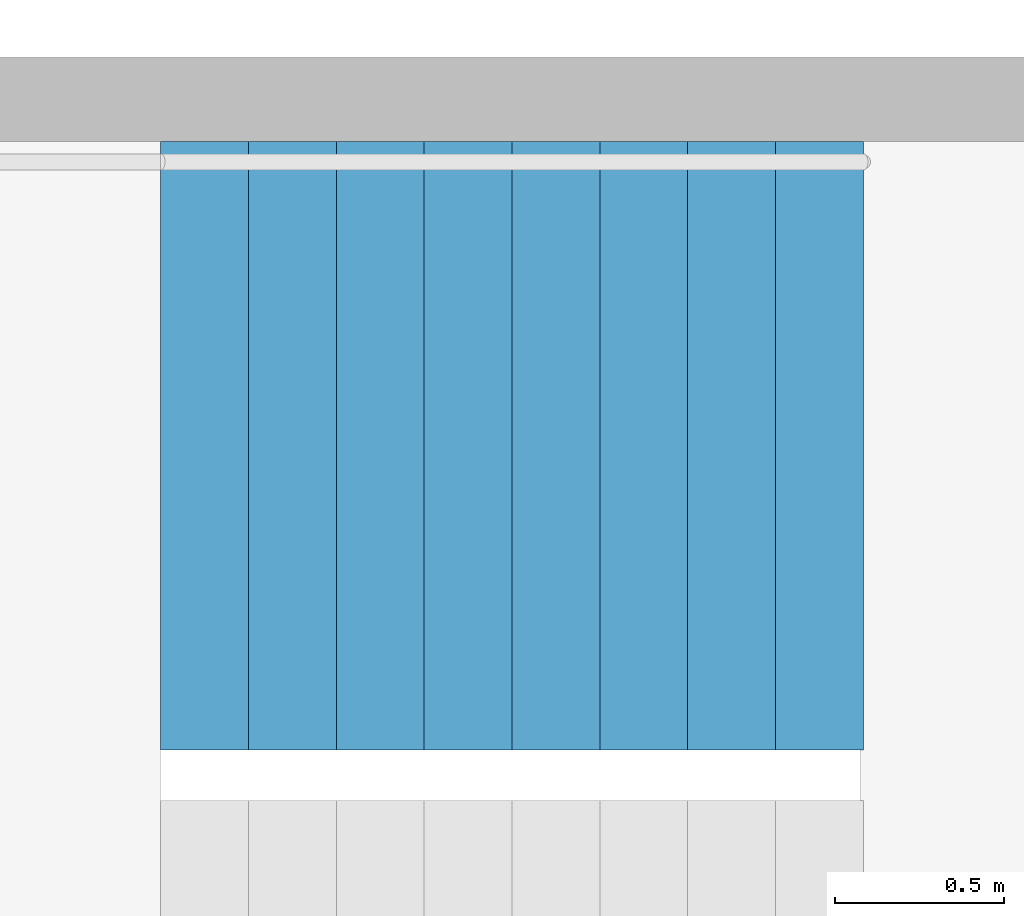
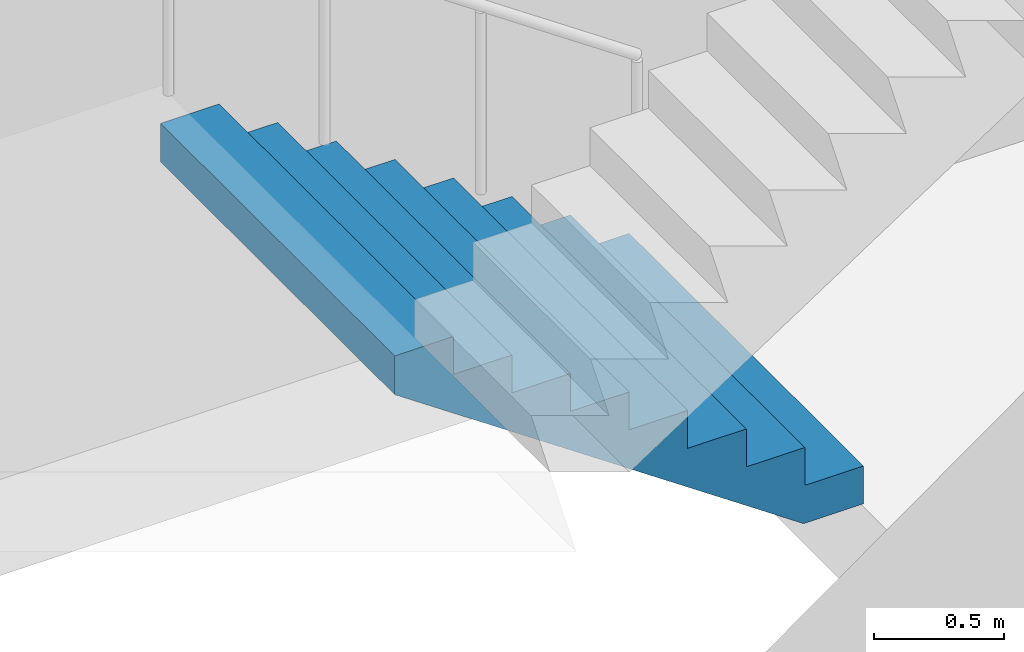
# One storey, part 20 of 27: 1 stair flight, 1 element without a shape of its own.
"""IFC4 building model written with IfcOpenShell, lengths in metres."""

from ifc_helpers import new_model, si_unit, direction, frame, origin, place, context, subcontext, project, spatial, triangles, material, type_object, element, aggregate, save


model = new_model("IFC4")

# Units and contexts
model_context = context("Model", 3, precision=1e-05, world=origin(), true_north=direction((0.0, 1.0)))
body_context = subcontext(model_context, "Body", "Model", "MODEL_VIEW")
ifc_project = project(units=[si_unit("LENGTHUNIT", "METRE"), si_unit("AREAUNIT", "SQUARE_METRE"), si_unit("VOLUMEUNIT", "CUBIC_METRE"), si_unit("PLANEANGLEUNIT", "RADIAN"), si_unit("MASSUNIT", "GRAM", prefix="KILO")], contexts=[model_context])

# Site, building, storey
site_placement = place(None, origin())
site = spatial("IfcSite", under=ifc_project, at=site_placement, CompositionType="ELEMENT")
building_placement = place(site_placement, origin())
building = spatial("IfcBuilding", under=site, at=building_placement, Name="Hakoniwa Tower and Hamabe Station Hall", CompositionType="ELEMENT")
storey_placement = place(building_placement, frame((0.0, 0.0, 248.60009765625)))
storey = spatial("IfcBuildingStorey", under=building, at=storey_placement, Name="L70", CompositionType="ELEMENT", Elevation=248.60009765625)

# Stair, stair flight
ifc_material_1 = material(Name="Concrete C40", Category="concrete")
stair_type = type_object("IfcStairType", Name="ESCAPE STAIR 1800", PredefinedType="HALF_TURN_STAIR", material=ifc_material_1)
stair_placement = place(storey_placement, origin())
stair = element("IfcStair", 1, at=stair_placement, inside=storey, type_object=stair_type, Name="Escape stair ST-2 L70", PredefinedType="HALF_TURN_STAIR")
ifc_material_2 = material(Name="Concrete C40", Category="concrete")
stair_flight_type = type_object("IfcStairFlightType", Name="STAIR FLIGHT 1800", PredefinedType="STRAIGHT", material=ifc_material_2)
stair_flight_placement = place(storey_placement, frame((-23.39990234375, -4.64990234375, 0.0), z_axis=(0.0, 0.0, 1.0), x_axis=(-1.0, 0.0, 0.0)))
stair_flight = element("IfcStairFlight", 2, at=stair_flight_placement, type_object=stair_flight_type, Name="ST-2 flight 1", NumberOfRisers=9, NumberOfTreads=8, PredefinedType="STRAIGHT", RiserHeight=0.177777778, TreadLength=0.26, context=body_context, shape_type="Tessellation", body=[
    triangles([(0.0, 0.89990234375, 0.0), (0.260009765625, 0.89990234375, 0.0), (0.265625, 0.89990234375, 0.0), (0.52001953125, 0.89990234375, 0.174072265625), (0.780029296875, 0.89990234375, 0.351806640625), (1.0400390625, 0.89990234375, 0.529541015625), (1.300048828125, 0.89990234375, 0.707275390625), (1.56005859375, 0.89990234375, 0.885009765625), (1.820068359375, 0.89990234375, 1.062744140625), (2.080078125, 0.89990234375, 1.24072265625), (2.080078125, 0.89990234375, 1.422119140625), (1.820068359375, 0.89990234375, 1.422119140625), (1.820068359375, 0.89990234375, 1.244384765625), (1.56005859375, 0.89990234375, 1.244384765625), (1.56005859375, 0.89990234375, 1.066650390625), (1.300048828125, 0.89990234375, 1.066650390625), (1.300048828125, 0.89990234375, 0.888916015625), (1.0400390625, 0.89990234375, 0.888916015625), (1.0400390625, 0.89990234375, 0.711181640625), (0.780029296875, 0.89990234375, 0.711181640625), (0.780029296875, 0.89990234375, 0.533447265625), (0.52001953125, 0.89990234375, 0.533447265625), (0.52001953125, 0.89990234375, 0.35546875), (0.265625, 0.89990234375, 0.35546875), (0.260009765625, 0.89990234375, 0.35546875), (0.260009765625, 0.89990234375, 0.177734375), (0.0, 0.89990234375, 0.177734375), (0.0, 0.06005859375, 0.0), (0.260009765625, 0.06005859375, 0.0), (0.265625, 0.06005859375, 0.0), (0.52001953125, 0.06005859375, 0.174072265625), (0.780029296875, 0.06005859375, 0.351806640625), (1.0400390625, 0.06005859375, 0.529541015625), (1.300048828125, 0.06005859375, 0.707275390625), (1.56005859375, 0.06005859375, 0.885009765625), (1.820068359375, 0.06005859375, 1.062744140625), (2.080078125, 0.06005859375, 1.24072265625), (2.080078125, 0.06005859375, 1.422119140625), (1.820068359375, 0.06005859375, 1.422119140625), (1.820068359375, 0.06005859375, 1.244384765625), (1.56005859375, 0.06005859375, 1.244384765625), (1.56005859375, 0.06005859375, 1.066650390625), (1.300048828125, 0.06005859375, 1.066650390625), (1.300048828125, 0.06005859375, 0.888916015625), (1.0400390625, 0.06005859375, 0.888916015625), (1.0400390625, 0.06005859375, 0.711181640625), (0.780029296875, 0.06005859375, 0.711181640625), (0.780029296875, 0.06005859375, 0.533447265625), (0.52001953125, 0.06005859375, 0.533447265625), (0.52001953125, 0.06005859375, 0.35546875), (0.265625, 0.06005859375, 0.35546875), (0.260009765625, 0.06005859375, 0.35546875), (0.260009765625, 0.06005859375, 0.177734375), (0.0, 0.06005859375, 0.177734375), (0.0, 0.04296875, 0.0), (0.260009765625, 0.04296875, 0.0), (0.265625, 0.04296875, 0.0), (0.52001953125, 0.04296875, 0.174072265625), (0.780029296875, 0.04296875, 0.351806640625), (1.0400390625, 0.04296875, 0.529541015625), (1.300048828125, 0.04296875, 0.707275390625), (1.56005859375, 0.04296875, 0.885009765625), (1.820068359375, 0.04296875, 1.062744140625), (2.080078125, 0.04296875, 1.24072265625), (2.080078125, 0.04296875, 1.422119140625), (1.820068359375, 0.04296875, 1.422119140625), (1.820068359375, 0.04296875, 1.244384765625), (1.56005859375, 0.04296875, 1.244384765625), (1.56005859375, 0.04296875, 1.066650390625), (1.300048828125, 0.04296875, 1.066650390625), (1.300048828125, 0.04296875, 0.888916015625), (1.0400390625, 0.04296875, 0.888916015625), (1.0400390625, 0.04296875, 0.711181640625), (0.780029296875, 0.04296875, 0.711181640625), (0.780029296875, 0.04296875, 0.533447265625), (0.52001953125, 0.04296875, 0.533447265625), (0.52001953125, 0.04296875, 0.35546875), (0.265625, 0.04296875, 0.35546875), (0.260009765625, 0.04296875, 0.35546875), (0.260009765625, 0.04296875, 0.177734375), (0.0, 0.04296875, 0.177734375), (0.0, 0.025634765625, 0.0), (0.260009765625, 0.025634765625, 0.0), (0.265625, 0.025634765625, 0.0), (0.52001953125, 0.025634765625, 0.174072265625), (0.780029296875, 0.025634765625, 0.351806640625), (1.0400390625, 0.025634765625, 0.529541015625), (1.300048828125, 0.025634765625, 0.707275390625), (1.56005859375, 0.025634765625, 0.885009765625), (1.820068359375, 0.025634765625, 1.062744140625), (2.080078125, 0.025634765625, 1.24072265625), (2.080078125, 0.025634765625, 1.422119140625), (1.820068359375, 0.025634765625, 1.422119140625), (1.820068359375, 0.025634765625, 1.244384765625), (1.56005859375, 0.025634765625, 1.244384765625), (1.56005859375, 0.025634765625, 1.066650390625), (1.300048828125, 0.025634765625, 1.066650390625), (1.300048828125, 0.025634765625, 0.888916015625), (1.0400390625, 0.025634765625, 0.888916015625), (1.0400390625, 0.025634765625, 0.711181640625), (0.780029296875, 0.025634765625, 0.711181640625), (0.780029296875, 0.025634765625, 0.533447265625), (0.52001953125, 0.025634765625, 0.533447265625), (0.52001953125, 0.025634765625, 0.35546875), (0.265625, 0.025634765625, 0.35546875), (0.260009765625, 0.025634765625, 0.35546875), (0.260009765625, 0.025634765625, 0.177734375), (0.0, 0.025634765625, 0.177734375), (0.0, 0.008544921875, 0.0), (0.260009765625, 0.008544921875, 0.0), (0.265625, 0.008544921875, 0.0), (0.52001953125, 0.008544921875, 0.174072265625), (0.780029296875, 0.008544921875, 0.351806640625), (1.0400390625, 0.008544921875, 0.529541015625), (1.300048828125, 0.008544921875, 0.707275390625), (1.56005859375, 0.008544921875, 0.885009765625), (1.820068359375, 0.008544921875, 1.062744140625), (2.080078125, 0.008544921875, 1.24072265625), (2.080078125, 0.008544921875, 1.422119140625), (1.820068359375, 0.008544921875, 1.422119140625), (1.820068359375, 0.008544921875, 1.244384765625), (1.56005859375, 0.008544921875, 1.244384765625), (1.56005859375, 0.008544921875, 1.066650390625), (1.300048828125, 0.008544921875, 1.066650390625), (1.300048828125, 0.008544921875, 0.888916015625), (1.0400390625, 0.008544921875, 0.888916015625), (1.0400390625, 0.008544921875, 0.711181640625), (0.780029296875, 0.008544921875, 0.711181640625), (0.780029296875, 0.008544921875, 0.533447265625), (0.52001953125, 0.008544921875, 0.533447265625), (0.52001953125, 0.008544921875, 0.35546875), (0.265625, 0.008544921875, 0.35546875), (0.260009765625, 0.008544921875, 0.35546875), (0.260009765625, 0.008544921875, 0.177734375), (0.0, 0.008544921875, 0.177734375), (0.0, -0.008544921875, 0.0), (0.260009765625, -0.008544921875, 0.0), (0.265625, -0.008544921875, 0.0), (0.52001953125, -0.008544921875, 0.174072265625), (0.780029296875, -0.008544921875, 0.351806640625), (1.0400390625, -0.008544921875, 0.529541015625), (1.300048828125, -0.008544921875, 0.707275390625), (1.56005859375, -0.008544921875, 0.885009765625), (1.820068359375, -0.008544921875, 1.062744140625), (2.080078125, -0.008544921875, 1.24072265625), (2.080078125, -0.008544921875, 1.422119140625), (1.820068359375, -0.008544921875, 1.422119140625), (1.820068359375, -0.008544921875, 1.244384765625), (1.56005859375, -0.008544921875, 1.244384765625), (1.56005859375, -0.008544921875, 1.066650390625), (1.300048828125, -0.008544921875, 1.066650390625), (1.300048828125, -0.008544921875, 0.888916015625), (1.0400390625, -0.008544921875, 0.888916015625), (1.0400390625, -0.008544921875, 0.711181640625), (0.780029296875, -0.008544921875, 0.711181640625), (0.780029296875, -0.008544921875, 0.533447265625), (0.52001953125, -0.008544921875, 0.533447265625), (0.52001953125, -0.008544921875, 0.35546875), (0.265625, -0.008544921875, 0.35546875), (0.260009765625, -0.008544921875, 0.35546875), (0.260009765625, -0.008544921875, 0.177734375), (0.0, -0.008544921875, 0.177734375), (0.0, -0.025634765625, 0.0), (0.260009765625, -0.025634765625, 0.0), (0.265625, -0.025634765625, 0.0), (0.52001953125, -0.025634765625, 0.174072265625), (0.780029296875, -0.025634765625, 0.351806640625), (1.0400390625, -0.025634765625, 0.529541015625), (1.300048828125, -0.025634765625, 0.707275390625), (1.56005859375, -0.025634765625, 0.885009765625), (1.820068359375, -0.025634765625, 1.062744140625), (2.080078125, -0.025634765625, 1.24072265625), (2.080078125, -0.025634765625, 1.422119140625), (1.820068359375, -0.025634765625, 1.422119140625), (1.820068359375, -0.025634765625, 1.244384765625), (1.56005859375, -0.025634765625, 1.244384765625), (1.56005859375, -0.025634765625, 1.066650390625), (1.300048828125, -0.025634765625, 1.066650390625), (1.300048828125, -0.025634765625, 0.888916015625), (1.0400390625, -0.025634765625, 0.888916015625), (1.0400390625, -0.025634765625, 0.711181640625), (0.780029296875, -0.025634765625, 0.711181640625), (0.780029296875, -0.025634765625, 0.533447265625), (0.52001953125, -0.025634765625, 0.533447265625), (0.52001953125, -0.025634765625, 0.35546875), (0.265625, -0.025634765625, 0.35546875), (0.260009765625, -0.025634765625, 0.35546875), (0.260009765625, -0.025634765625, 0.177734375), (0.0, -0.025634765625, 0.177734375), (0.0, -0.04296875, 0.0), (0.260009765625, -0.04296875, 0.0), (0.265625, -0.04296875, 0.0), (0.52001953125, -0.04296875, 0.174072265625), (0.780029296875, -0.04296875, 0.351806640625), (1.0400390625, -0.04296875, 0.529541015625), (1.300048828125, -0.04296875, 0.707275390625), (1.56005859375, -0.04296875, 0.885009765625), (1.820068359375, -0.04296875, 1.062744140625), (2.080078125, -0.04296875, 1.24072265625), (2.080078125, -0.04296875, 1.422119140625), (1.820068359375, -0.04296875, 1.422119140625), (1.820068359375, -0.04296875, 1.244384765625), (1.56005859375, -0.04296875, 1.244384765625), (1.56005859375, -0.04296875, 1.066650390625), (1.300048828125, -0.04296875, 1.066650390625), (1.300048828125, -0.04296875, 0.888916015625), (1.0400390625, -0.04296875, 0.888916015625), (1.0400390625, -0.04296875, 0.711181640625), (0.780029296875, -0.04296875, 0.711181640625), (0.780029296875, -0.04296875, 0.533447265625), (0.52001953125, -0.04296875, 0.533447265625), (0.52001953125, -0.04296875, 0.35546875), (0.265625, -0.04296875, 0.35546875), (0.260009765625, -0.04296875, 0.35546875), (0.260009765625, -0.04296875, 0.177734375), (0.0, -0.04296875, 0.177734375), (0.0, -0.06005859375, 0.0), (0.260009765625, -0.06005859375, 0.0), (0.265625, -0.06005859375, 0.0), (0.52001953125, -0.06005859375, 0.174072265625), (0.780029296875, -0.06005859375, 0.351806640625), (1.0400390625, -0.06005859375, 0.529541015625), (1.300048828125, -0.06005859375, 0.707275390625), (1.56005859375, -0.06005859375, 0.885009765625), (1.820068359375, -0.06005859375, 1.062744140625), (2.080078125, -0.06005859375, 1.24072265625), (2.080078125, -0.06005859375, 1.422119140625), (1.820068359375, -0.06005859375, 1.422119140625), (1.820068359375, -0.06005859375, 1.244384765625), (1.56005859375, -0.06005859375, 1.244384765625), (1.56005859375, -0.06005859375, 1.066650390625), (1.300048828125, -0.06005859375, 1.066650390625), (1.300048828125, -0.06005859375, 0.888916015625), (1.0400390625, -0.06005859375, 0.888916015625), (1.0400390625, -0.06005859375, 0.711181640625), (0.780029296875, -0.06005859375, 0.711181640625), (0.780029296875, -0.06005859375, 0.533447265625), (0.52001953125, -0.06005859375, 0.533447265625), (0.52001953125, -0.06005859375, 0.35546875), (0.265625, -0.06005859375, 0.35546875), (0.260009765625, -0.06005859375, 0.35546875), (0.260009765625, -0.06005859375, 0.177734375), (0.0, -0.06005859375, 0.177734375), (0.0, -0.89990234375, 0.0), (0.260009765625, -0.89990234375, 0.0), (0.265625, -0.89990234375, 0.0), (0.52001953125, -0.89990234375, 0.174072265625), (0.780029296875, -0.89990234375, 0.351806640625), (1.0400390625, -0.89990234375, 0.529541015625), (1.300048828125, -0.89990234375, 0.707275390625), (1.56005859375, -0.89990234375, 0.885009765625), (1.820068359375, -0.89990234375, 1.062744140625), (2.080078125, -0.89990234375, 1.24072265625), (2.080078125, -0.89990234375, 1.422119140625), (1.820068359375, -0.89990234375, 1.422119140625), (1.820068359375, -0.89990234375, 1.244384765625), (1.56005859375, -0.89990234375, 1.244384765625), (1.56005859375, -0.89990234375, 1.066650390625), (1.300048828125, -0.89990234375, 1.066650390625), (1.300048828125, -0.89990234375, 0.888916015625), (1.0400390625, -0.89990234375, 0.888916015625), (1.0400390625, -0.89990234375, 0.711181640625), (0.780029296875, -0.89990234375, 0.711181640625), (0.780029296875, -0.89990234375, 0.533447265625), (0.52001953125, -0.89990234375, 0.533447265625), (0.52001953125, -0.89990234375, 0.35546875), (0.265625, -0.89990234375, 0.35546875), (0.260009765625, -0.89990234375, 0.35546875), (0.260009765625, -0.89990234375, 0.177734375), (0.0, -0.89990234375, 0.177734375)], [[2, 27, 26], [245, 269, 270], [2, 1, 27], [245, 270, 244], [3, 25, 24], [246, 267, 268], [3, 26, 25], [246, 268, 269], [3, 2, 26], [246, 269, 245], [4, 24, 23], [247, 266, 267], [4, 3, 24], [247, 267, 246], [5, 22, 21], [248, 264, 265], [5, 23, 22], [248, 265, 266], [5, 4, 23], [248, 266, 247], [6, 20, 19], [249, 262, 263], [6, 21, 20], [249, 263, 264], [6, 5, 21], [249, 264, 248], [7, 18, 17], [250, 260, 261], [7, 19, 18], [250, 261, 262], [7, 6, 19], [250, 262, 249], [8, 16, 15], [251, 258, 259], [8, 17, 16], [251, 259, 260], [8, 7, 17], [251, 260, 250], [9, 14, 13], [252, 256, 257], [9, 15, 14], [252, 257, 258], [9, 8, 15], [252, 258, 251], [10, 12, 11], [253, 254, 255], [10, 13, 12], [253, 255, 256], [10, 9, 13], [253, 256, 252], [1, 2, 29], [1, 29, 28], [28, 29, 56], [28, 56, 55], [55, 56, 83], [55, 83, 82], [82, 83, 110], [82, 110, 109], [109, 110, 137], [109, 137, 136], [136, 137, 164], [136, 164, 163], [163, 164, 191], [163, 191, 190], [190, 191, 218], [190, 218, 217], [217, 218, 245], [217, 245, 244], [2, 3, 30], [2, 30, 29], [29, 30, 57], [29, 57, 56], [56, 57, 84], [56, 84, 83], [83, 84, 111], [83, 111, 110], [110, 111, 138], [110, 138, 137], [137, 138, 165], [137, 165, 164], [164, 165, 192], [164, 192, 191], [191, 192, 219], [191, 219, 218], [218, 219, 246], [218, 246, 245], [3, 4, 31], [3, 31, 30], [30, 31, 58], [30, 58, 57], [57, 58, 85], [57, 85, 84], [84, 85, 112], [84, 112, 111], [111, 112, 139], [111, 139, 138], [138, 139, 166], [138, 166, 165], [165, 166, 193], [165, 193, 192], [192, 193, 220], [192, 220, 219], [219, 220, 247], [219, 247, 246], [4, 5, 32], [4, 32, 31], [31, 32, 59], [31, 59, 58], [58, 59, 86], [58, 86, 85], [85, 86, 113], [85, 113, 112], [112, 113, 140], [112, 140, 139], [139, 140, 167], [139, 167, 166], [166, 167, 194], [166, 194, 193], [193, 194, 221], [193, 221, 220], [220, 221, 248], [220, 248, 247], [5, 6, 33], [5, 33, 32], [32, 33, 60], [32, 60, 59], [59, 60, 87], [59, 87, 86], [86, 87, 114], [86, 114, 113], [113, 114, 141], [113, 141, 140], [140, 141, 168], [140, 168, 167], [167, 168, 195], [167, 195, 194], [194, 195, 222], [194, 222, 221], [221, 222, 249], [221, 249, 248], [6, 7, 34], [6, 34, 33], [33, 34, 61], [33, 61, 60], [60, 61, 88], [60, 88, 87], [87, 88, 115], [87, 115, 114], [114, 115, 142], [114, 142, 141], [141, 142, 169], [141, 169, 168], [168, 169, 196], [168, 196, 195], [195, 196, 223], [195, 223, 222], [222, 223, 250], [222, 250, 249], [7, 8, 35], [7, 35, 34], [34, 35, 62], [34, 62, 61], [61, 62, 89], [61, 89, 88], [88, 89, 116], [88, 116, 115], [115, 116, 143], [115, 143, 142], [142, 143, 170], [142, 170, 169], [169, 170, 197], [169, 197, 196], [196, 197, 224], [196, 224, 223], [223, 224, 251], [223, 251, 250], [8, 9, 36], [8, 36, 35], [35, 36, 63], [35, 63, 62], [62, 63, 90], [62, 90, 89], [89, 90, 117], [89, 117, 116], [116, 117, 144], [116, 144, 143], [143, 144, 171], [143, 171, 170], [170, 171, 198], [170, 198, 197], [197, 198, 225], [197, 225, 224], [224, 225, 252], [224, 252, 251], [9, 10, 37], [9, 37, 36], [36, 37, 64], [36, 64, 63], [63, 64, 91], [63, 91, 90], [90, 91, 118], [90, 118, 117], [117, 118, 145], [117, 145, 144], [144, 145, 172], [144, 172, 171], [171, 172, 199], [171, 199, 198], [198, 199, 226], [198, 226, 225], [225, 226, 253], [225, 253, 252], [10, 11, 38], [10, 38, 37], [37, 38, 65], [37, 65, 64], [64, 65, 92], [64, 92, 91], [91, 92, 119], [91, 119, 118], [118, 119, 146], [118, 146, 145], [145, 146, 173], [145, 173, 172], [172, 173, 200], [172, 200, 199], [199, 200, 227], [199, 227, 226], [226, 227, 254], [226, 254, 253], [11, 12, 39], [11, 39, 38], [38, 39, 66], [38, 66, 65], [65, 66, 93], [65, 93, 92], [92, 93, 120], [92, 120, 119], [119, 120, 147], [119, 147, 146], [146, 147, 174], [146, 174, 173], [173, 174, 201], [173, 201, 200], [200, 201, 228], [200, 228, 227], [227, 228, 255], [227, 255, 254], [12, 13, 40], [12, 40, 39], [39, 40, 67], [39, 67, 66], [66, 67, 94], [66, 94, 93], [93, 94, 121], [93, 121, 120], [120, 121, 148], [120, 148, 147], [147, 148, 175], [147, 175, 174], [174, 175, 202], [174, 202, 201], [201, 202, 229], [201, 229, 228], [228, 229, 256], [228, 256, 255], [13, 14, 41], [13, 41, 40], [40, 41, 68], [40, 68, 67], [67, 68, 95], [67, 95, 94], [94, 95, 122], [94, 122, 121], [121, 122, 149], [121, 149, 148], [148, 149, 176], [148, 176, 175], [175, 176, 203], [175, 203, 202], [202, 203, 230], [202, 230, 229], [229, 230, 257], [229, 257, 256], [14, 15, 42], [14, 42, 41], [41, 42, 69], [41, 69, 68], [68, 69, 96], [68, 96, 95], [95, 96, 123], [95, 123, 122], [122, 123, 150], [122, 150, 149], [149, 150, 177], [149, 177, 176], [176, 177, 204], [176, 204, 203], [203, 204, 231], [203, 231, 230], [230, 231, 258], [230, 258, 257], [15, 16, 43], [15, 43, 42], [42, 43, 70], [42, 70, 69], [69, 70, 97], [69, 97, 96], [96, 97, 124], [96, 124, 123], [123, 124, 151], [123, 151, 150], [150, 151, 178], [150, 178, 177], [177, 178, 205], [177, 205, 204], [204, 205, 232], [204, 232, 231], [231, 232, 259], [231, 259, 258], [16, 17, 44], [16, 44, 43], [43, 44, 71], [43, 71, 70], [70, 71, 98], [70, 98, 97], [97, 98, 125], [97, 125, 124], [124, 125, 152], [124, 152, 151], [151, 152, 179], [151, 179, 178], [178, 179, 206], [178, 206, 205], [205, 206, 233], [205, 233, 232], [232, 233, 260], [232, 260, 259], [17, 18, 45], [17, 45, 44], [44, 45, 72], [44, 72, 71], [71, 72, 99], [71, 99, 98], [98, 99, 126], [98, 126, 125], [125, 126, 153], [125, 153, 152], [152, 153, 180], [152, 180, 179], [179, 180, 207], [179, 207, 206], [206, 207, 234], [206, 234, 233], [233, 234, 261], [233, 261, 260], [18, 19, 46], [18, 46, 45], [45, 46, 73], [45, 73, 72], [72, 73, 100], [72, 100, 99], [99, 100, 127], [99, 127, 126], [126, 127, 154], [126, 154, 153], [153, 154, 181], [153, 181, 180], [180, 181, 208], [180, 208, 207], [207, 208, 235], [207, 235, 234], [234, 235, 262], [234, 262, 261], [19, 20, 47], [19, 47, 46], [46, 47, 74], [46, 74, 73], [73, 74, 101], [73, 101, 100], [100, 101, 128], [100, 128, 127], [127, 128, 155], [127, 155, 154], [154, 155, 182], [154, 182, 181], [181, 182, 209], [181, 209, 208], [208, 209, 236], [208, 236, 235], [235, 236, 263], [235, 263, 262], [20, 21, 48], [20, 48, 47], [47, 48, 75], [47, 75, 74], [74, 75, 102], [74, 102, 101], [101, 102, 129], [101, 129, 128], [128, 129, 156], [128, 156, 155], [155, 156, 183], [155, 183, 182], [182, 183, 210], [182, 210, 209], [209, 210, 237], [209, 237, 236], [236, 237, 264], [236, 264, 263], [21, 22, 49], [21, 49, 48], [48, 49, 76], [48, 76, 75], [75, 76, 103], [75, 103, 102], [102, 103, 130], [102, 130, 129], [129, 130, 157], [129, 157, 156], [156, 157, 184], [156, 184, 183], [183, 184, 211], [183, 211, 210], [210, 211, 238], [210, 238, 237], [237, 238, 265], [237, 265, 264], [22, 23, 50], [22, 50, 49], [49, 50, 77], [49, 77, 76], [76, 77, 104], [76, 104, 103], [103, 104, 131], [103, 131, 130], [130, 131, 158], [130, 158, 157], [157, 158, 185], [157, 185, 184], [184, 185, 212], [184, 212, 211], [211, 212, 239], [211, 239, 238], [238, 239, 266], [238, 266, 265], [23, 24, 51], [23, 51, 50], [50, 51, 78], [50, 78, 77], [77, 78, 105], [77, 105, 104], [104, 105, 132], [104, 132, 131], [131, 132, 159], [131, 159, 158], [158, 159, 186], [158, 186, 185], [185, 186, 213], [185, 213, 212], [212, 213, 240], [212, 240, 239], [239, 240, 267], [239, 267, 266], [24, 25, 52], [24, 52, 51], [51, 52, 79], [51, 79, 78], [78, 79, 106], [78, 106, 105], [105, 106, 133], [105, 133, 132], [132, 133, 160], [132, 160, 159], [159, 160, 187], [159, 187, 186], [186, 187, 214], [186, 214, 213], [213, 214, 241], [213, 241, 240], [240, 241, 268], [240, 268, 267], [25, 26, 53], [25, 53, 52], [52, 53, 80], [52, 80, 79], [79, 80, 107], [79, 107, 106], [106, 107, 134], [106, 134, 133], [133, 134, 161], [133, 161, 160], [160, 161, 188], [160, 188, 187], [187, 188, 215], [187, 215, 214], [214, 215, 242], [214, 242, 241], [241, 242, 269], [241, 269, 268], [26, 27, 54], [26, 54, 53], [53, 54, 81], [53, 81, 80], [80, 81, 108], [80, 108, 107], [107, 108, 135], [107, 135, 134], [134, 135, 162], [134, 162, 161], [161, 162, 189], [161, 189, 188], [188, 189, 216], [188, 216, 215], [215, 216, 243], [215, 243, 242], [242, 243, 270], [242, 270, 269], [27, 1, 28], [27, 28, 54], [54, 28, 55], [54, 55, 81], [81, 55, 82], [81, 82, 108], [108, 82, 109], [108, 109, 135], [135, 109, 136], [135, 136, 162], [162, 136, 163], [162, 163, 189], [189, 163, 190], [189, 190, 216], [216, 190, 217], [216, 217, 243], [243, 217, 244], [243, 244, 270]], closed=True),
])
aggregate(stair, [stair_flight])

save(model, "model.ifc")
